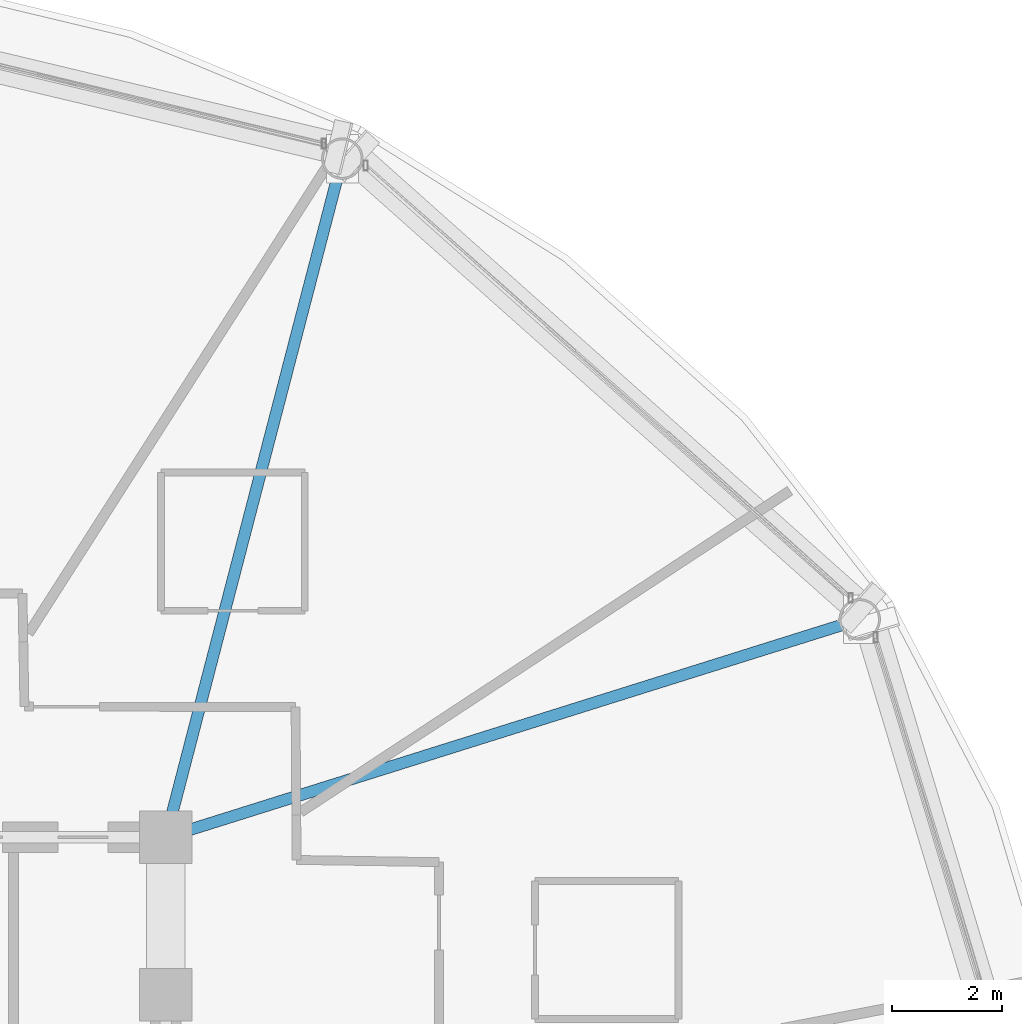
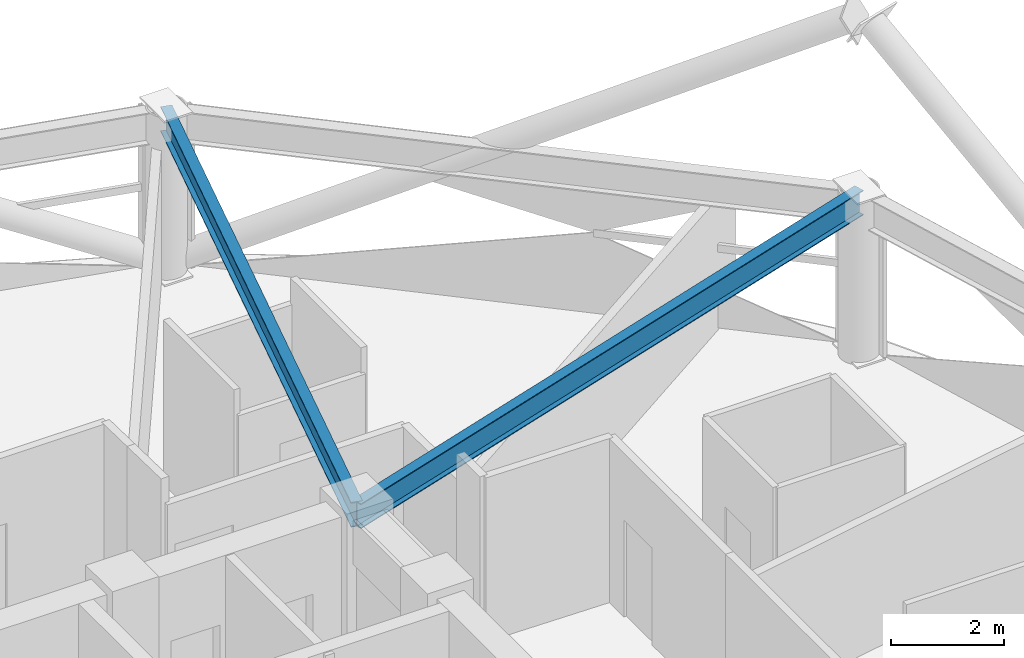
# One storey, part 18 of 32: 2 beams.
"""IFC4 building model written with IfcOpenShell, lengths in metres."""

from ifc_helpers import new_model, si_unit, direction, frame, origin, origin_2d, place, context, subcontext, project, spatial, i_section, extrude, material, material_profile, profile_set, type_object, element, save


model = new_model("IFC4")

# Units and contexts
model_context = context("Model", 3, precision=1e-05, world=origin(), true_north=direction((0.0, 1.0)))
body_context = subcontext(model_context, "Body", "Model", "MODEL_VIEW")
ifc_project = project(units=[si_unit("LENGTHUNIT", "METRE"), si_unit("AREAUNIT", "SQUARE_METRE"), si_unit("VOLUMEUNIT", "CUBIC_METRE"), si_unit("PLANEANGLEUNIT", "RADIAN"), si_unit("MASSUNIT", "GRAM", prefix="KILO")], contexts=[model_context])

# Site, building, storey
site_placement = place(None, origin())
site = spatial("IfcSite", under=ifc_project, at=site_placement, CompositionType="ELEMENT")
building_placement = place(site_placement, origin())
building = spatial("IfcBuilding", under=site, at=building_placement, Name="Vantalir Tower", CompositionType="ELEMENT")
storey_placement = place(building_placement, frame((0.0, 0.0, 104.699951171875)))
storey = spatial("IfcBuildingStorey", under=building, at=storey_placement, Name="L25", CompositionType="ELEMENT", Elevation=104.699951171875)

# Beams
ifc_material = material(Name="Steel S355", Category="steel")
ifc_material_profile = material_profile(ifc_material, i_section(OverallWidth=0.2109375, OverallDepth=0.5390625, WebThickness=0.01171875, FlangeThickness=0.018798828125, at=origin_2d()), Name="Steel S355")
ifc_profile_set = profile_set([ifc_material_profile], Name="Steel S355")
beam_type = type_object("IfcBeamType", Name="BM-RB-533x210", PredefinedType="BEAM", material=ifc_profile_set)
beam_1_placement = place(storey_placement, frame((53.659912109375, 36.39404296875, 3.300048828125), z_axis=(-0.954064922814, -0.299599938343, 0.0), x_axis=(0.299599938343, -0.954064922814, 0.0)))
element("IfcBeam", 1, at=beam_1_placement, inside=storey, type_object=beam_type, Name="L25 Radial Floor Beam 02", PredefinedType="BEAM", context=body_context, shape_type="SweptSolid", body=[
    extrude(i_section(OverallWidth=0.2109375, OverallDepth=0.5390625, WebThickness=0.01171875, FlangeThickness=0.018798828125, at=origin_2d()), origin(), (0.0, 0.0, 1.0), 13.16455078125),
])
beam_2_placement = place(storey_placement, frame((44.2939453125, 44.735107421875, 3.300048828125), z_axis=(-0.251612232967, -0.967828127418, 0.0), x_axis=(0.967828127418, -0.251612232967, 0.0)))
element("IfcBeam", 2, at=beam_2_placement, inside=storey, type_object=beam_type, Name="L25 Radial Floor Beam 03", PredefinedType="BEAM", context=body_context, shape_type="SweptSolid", body=[
    extrude(i_section(OverallWidth=0.2109375, OverallDepth=0.5390625, WebThickness=0.01171875, FlangeThickness=0.018798828125, at=origin_2d()), origin(), (0.0, 0.0, 1.0), 12.693603515625),
])

save(model, "model.ifc")
